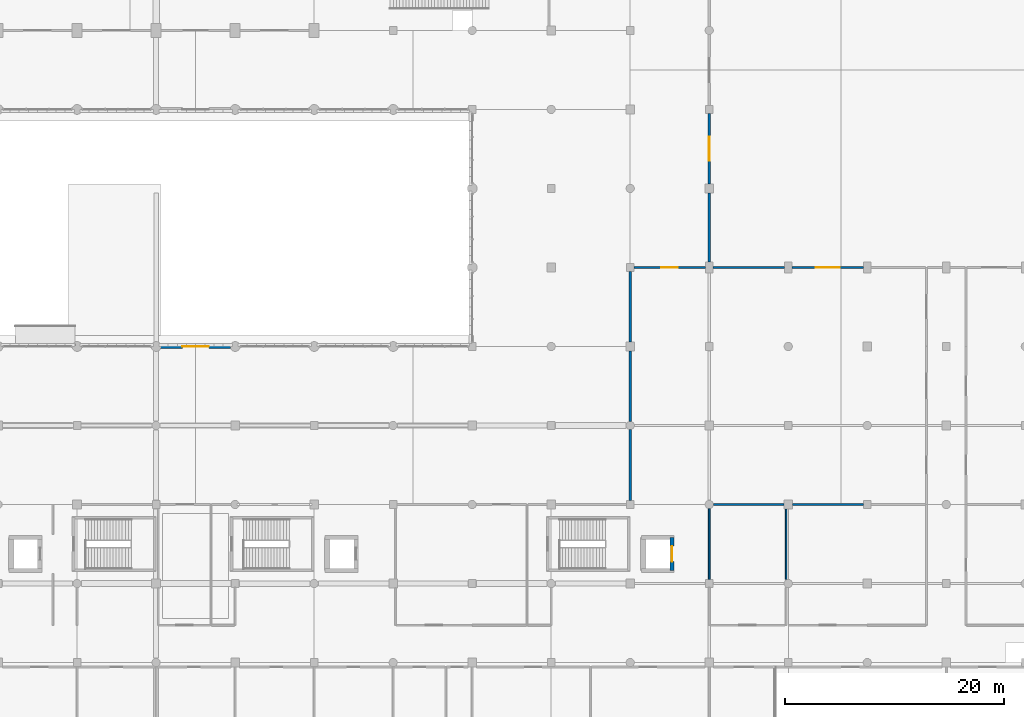
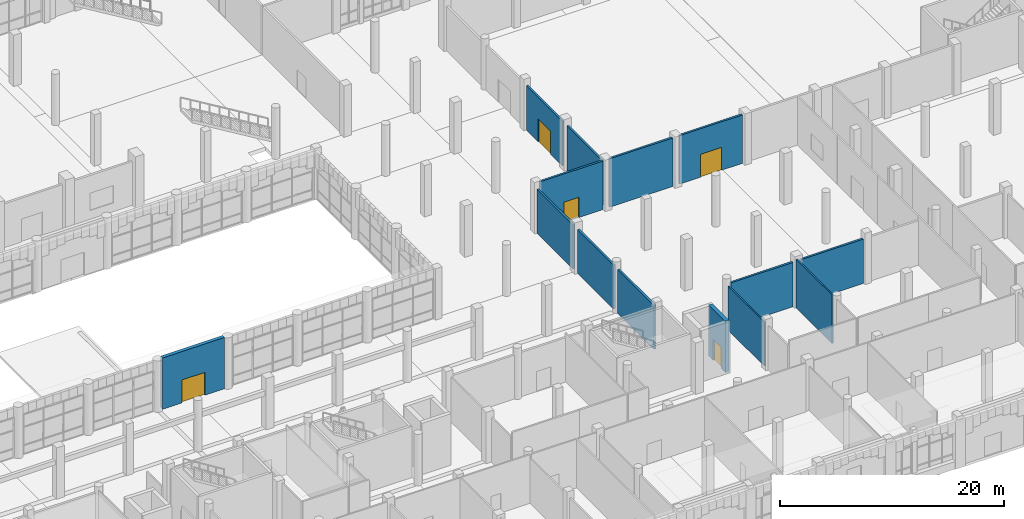
# One storey, part 59 of 85: 14 walls, 5 doors, 5 openings.
"""IFC4 building model written with IfcOpenShell, lengths in metres."""

import ifcopenshell
import ifcopenshell.guid

model = None  # the IFC model being written
_history = None  # IfcOwnerHistory: only IFC2X3 demands one
_inside = {}  # id of a spatial element -> (the spatial element, [elements in it])
_under = {}  # id of a project, library or spatial element -> (it, [spatial elements below it])
_declared = {}  # id of a project -> (the project, [libraries it declares])
_typed = {}  # id of a type object -> (the type object, [elements of that type])
_made_of = {}  # id of a material, layer set ... -> (it, [elements and type objects made of it])


def new_model(schema):
    """Start an empty IFC model of exactly this schema.

    Asked for "IFC4X3", IfcOpenShell would pick the latest addendum, in which some entities
    have other attributes; the version numbers below select the first issue.
    IFC2X3 requires an IfcOwnerHistory on every rooted entity: one is made here for all.
    """
    global model, _history
    if schema == "IFC4X3":
        model = ifcopenshell.file(schema_version=(4, 3, 0, 0))
    else:
        model = ifcopenshell.file(schema=schema)
    _inside.clear()
    _under.clear()
    _declared.clear()
    _typed.clear()
    _made_of.clear()
    _history = None
    if model.schema == "IFC2X3":
        org = make("IfcOrganization", Name="unknown")
        user = make(
            "IfcPersonAndOrganization",
            ThePerson=make("IfcPerson", FamilyName="unknown"),
            TheOrganization=org,
        )
        app = make(
            "IfcApplication",
            ApplicationDeveloper=org,
            Version="unknown",
            ApplicationFullName="unknown",
            ApplicationIdentifier="unknown",
        )
        _history = make(
            "IfcOwnerHistory",
            OwningUser=user,
            OwningApplication=app,
            ChangeAction="ADDED",
            CreationDate=0,
        )
    return model


def make(cls, **values):
    """One entity of the class cls with the attributes given. An attribute that is None is left unset."""
    return model.create_entity(
        cls, **{name: value for name, value in values.items() if value is not None}
    )


def rooted(cls, **values):
    """An entity with a GlobalId (a new one), such as an element, a storey or a relation."""
    return make(cls, GlobalId=ifcopenshell.guid.new(), OwnerHistory=_history, **values)


def si_unit(unit_type, name, prefix=None):
    """IfcSIUnit, for example si_unit("LENGTHUNIT", "METRE", prefix="MILLI")."""
    return make("IfcSIUnit", UnitType=unit_type, Prefix=prefix, Name=name)


def assignment(units):
    """IfcUnitAssignment: the units of a project."""
    return None if units is None else make("IfcUnitAssignment", Units=units)


def point(xyz):
    """IfcCartesianPoint."""
    return None if xyz is None else make("IfcCartesianPoint", Coordinates=xyz)


def direction(xyz):
    """IfcDirection."""
    return None if xyz is None else make("IfcDirection", DirectionRatios=xyz)


def frame(location, z_axis=None, x_axis=None):
    """IfcAxis2Placement3D, a coordinate frame: its origin and axes. An axis left out is left unset."""
    return make(
        "IfcAxis2Placement3D",
        Location=point(location),
        Axis=direction(z_axis),
        RefDirection=direction(x_axis),
    )


def frame_2d(location, x_axis=None):
    """IfcAxis2Placement2D, a coordinate frame in the plane: its origin and x axis."""
    return make(
        "IfcAxis2Placement2D", Location=point(location), RefDirection=direction(x_axis)
    )


def origin():
    """The frame at (0, 0, 0) with its axes left unset."""
    return frame((0.0, 0.0, 0.0))


def place(relative_to, where):
    """IfcLocalPlacement: puts the frame where relative to a parent placement (None: the world)."""
    return make(
        "IfcLocalPlacement", PlacementRelTo=relative_to, RelativePlacement=where
    )


def context(
    kind, dimensions, precision=None, world=None, true_north=None, identifier=None
):
    """IfcGeometricRepresentationContext, for example the 3D "Model" context."""
    return make(
        "IfcGeometricRepresentationContext",
        ContextIdentifier=identifier,
        ContextType=kind,
        CoordinateSpaceDimension=dimensions,
        Precision=precision,
        WorldCoordinateSystem=world,
        TrueNorth=true_north,
    )


def subcontext(parent, identifier, kind, view, scale=None):
    """IfcGeometricRepresentationSubContext, for example "Body" below "Model"."""
    return make(
        "IfcGeometricRepresentationSubContext",
        ContextIdentifier=identifier,
        ContextType=kind,
        ParentContext=parent,
        TargetScale=scale,
        TargetView=view,
    )


def project(units=None, contexts=None):
    """IfcProject with its units and contexts."""
    return rooted(
        "IfcProject",
        Name="project",
        RepresentationContexts=contexts,
        UnitsInContext=assignment(units),
    )


def spatial(cls, under=None, at=None, **own):
    """A site, building, storey or space (cls), placed at a placement, below another one or the project."""
    s = rooted(cls, ObjectPlacement=at, **own)
    if under is not None:
        _under.setdefault(under.id(), (under, []))[1].append(s)
    return s


def profile(cls, at=None, kind="AREA", **sizes):
    """A parametric profile (cls). Its sizes go by their IFC names, for example OverallWidth=200.0."""
    return make(cls, ProfileType=kind, Position=at, **sizes)


def rectangle(**sizes):
    """IfcRectangleProfileDef."""
    return profile("IfcRectangleProfileDef", **sizes)


def extrude(swept, where, along, depth):
    """IfcExtrudedAreaSolid: the profile swept, set in the frame where, extruded along a direction by depth."""
    return make(
        "IfcExtrudedAreaSolid",
        SweptArea=swept,
        Position=where,
        ExtrudedDirection=direction(along),
        Depth=depth,
    )


def shape(context_of_items, identifier, shape_type, items):
    """IfcShapeRepresentation: the items that make up one representation, for example the "Body"."""
    return make(
        "IfcShapeRepresentation",
        ContextOfItems=context_of_items,
        RepresentationIdentifier=identifier,
        RepresentationType=shape_type,
        Items=items,
    )


def material(Name=None, Category=None):
    """IfcMaterial."""
    return make("IfcMaterial", Name=Name, Category=Category)


def layer(
    of_material, thickness, ventilated=None, Name=None, Category=None, Priority=None
):
    """IfcMaterialLayer: one layer of a wall or slab, of a material (None: an air gap)."""
    return make(
        "IfcMaterialLayer",
        Material=of_material,
        LayerThickness=thickness,
        IsVentilated=ventilated,
        Name=Name,
        Category=Category,
        Priority=Priority,
    )


def layer_set(layers, Name=None):
    """IfcMaterialLayerSet."""
    return make("IfcMaterialLayerSet", MaterialLayers=layers, LayerSetName=Name)


def made_of(thing, what):
    """Note that an element or type object is made of a material, layer set ...; save() writes the relation."""
    if what is not None:
        _made_of.setdefault(what.id(), (what, []))[1].append(thing)
    return thing


def type_object(cls, material=None, **own):
    """A type object (cls), such as IfcWallType, which elements share."""
    return made_of(rooted(cls, **own), material)


def element(
    cls,
    number,
    at=None,
    inside=None,
    cuts=None,
    type_object=None,
    material=None,
    context=None,
    identifier="Body",
    shape_type=None,
    held_by="IfcProductDefinitionShape",
    body=None,
    shapes=None,
    **own,
):
    """One element of the class cls, such as IfcWall. Its Tag is "e" and its number.

    at: its placement. inside: the storey or other place that contains it. cuts: it is an
    opening in that element (IfcRelVoidsElement). A single representation is given by context,
    identifier, shape_type and body (its items); several are given by shapes. held_by: the class
    of the entity that holds the representations. save() writes the other relations.
    """
    e = rooted(cls, Tag="e%d" % number, ObjectPlacement=at, **own)
    if body is not None:
        shapes = [shape(context, identifier, shape_type, body)]
    if shapes is not None:
        e.Representation = make(held_by, Representations=shapes)
    if inside is not None:
        _inside.setdefault(inside.id(), (inside, []))[1].append(e)
    if cuts is not None:
        rooted(
            "IfcRelVoidsElement", RelatingBuildingElement=cuts, RelatedOpeningElement=e
        )
    if type_object is not None:
        _typed.setdefault(type_object.id(), (type_object, []))[1].append(e)
    return made_of(e, material)


def fill(opening, filler):
    """IfcRelFillsElement: the door or window that sits in an opening."""
    return rooted(
        "IfcRelFillsElement",
        RelatingOpeningElement=opening,
        RelatedBuildingElement=filler,
    )


def aggregate(whole, parts):
    """IfcRelAggregates: a whole, such as a stair, and the parts it consists of."""
    return rooted("IfcRelAggregates", RelatingObject=whole, RelatedObjects=parts)


def save(model, path):
    """Write the relations noted so far, then the file.

    IfcRelAggregates (storeys below a building ...), IfcRelContainedInSpatialStructure (elements
    in a storey), IfcRelDefinesByType, IfcRelAssociatesMaterial and IfcRelDeclares: one each for
    every whole, place, type object, material and project.
    """
    for whole, parts in _under.values():
        aggregate(whole, parts)
    for where, things in _inside.values():
        rooted(
            "IfcRelContainedInSpatialStructure",
            RelatedElements=things,
            RelatingStructure=where,
        )
    for kind, things in _typed.values():
        rooted("IfcRelDefinesByType", RelatedObjects=things, RelatingType=kind)
    for what, things in _made_of.values():
        rooted("IfcRelAssociatesMaterial", RelatedObjects=things, RelatingMaterial=what)
    for by, libraries in _declared.values():
        rooted("IfcRelDeclares", RelatingContext=by, RelatedDefinitions=libraries)
    model.write(path)


model = new_model("IFC4")

# Units and contexts
model_context = context("Model", 3, precision=1e-05, world=origin(), true_north=direction((0.0, 1.0)))
body_context = subcontext(model_context, "Body", "Model", "MODEL_VIEW")
ifc_project = project(units=[si_unit("LENGTHUNIT", "METRE"), si_unit("AREAUNIT", "SQUARE_METRE"), si_unit("VOLUMEUNIT", "CUBIC_METRE"), si_unit("PLANEANGLEUNIT", "RADIAN"), si_unit("MASSUNIT", "GRAM", prefix="KILO")], contexts=[model_context])

# Site, building, storey
site_placement = place(None, origin())
site = spatial("IfcSite", under=ifc_project, at=site_placement, CompositionType="ELEMENT")
building_placement = place(site_placement, origin())
building = spatial("IfcBuilding", under=site, at=building_placement, Name="Sardonyx Promenade Sports Hall", CompositionType="ELEMENT")
storey_placement = place(building_placement, origin())
storey = spatial("IfcBuildingStorey", under=building, at=storey_placement, Name="L00", CompositionType="ELEMENT", Elevation=0.0)

# Wall, opening, door
ifc_material_1 = material(Name="Concrete C40/50", Category="concrete")
ifc_layer_1 = layer(ifc_material_1, 0.3798828125)
ifc_layer_set_1 = layer_set([ifc_layer_1], Name="Wall_Core_Shear_380")
wall_type_1 = type_object("IfcWallType", Name="Wall_Core_Shear_380", PredefinedType="SHEAR", material=ifc_layer_set_1)
wall_1_placement = place(storey_placement, frame((111.800048828125, 22.800048828125, 0.0), z_axis=(0.0, 0.0, 1.0), x_axis=(0.0, 1.0, 0.0)))
wall_1 = element("IfcWall", 1, at=wall_1_placement, inside=storey, type_object=wall_type_1, Name="Lift shaft wall LF4 L00 E", PredefinedType="SHEAR", context=body_context, shape_type="SweptSolid", body=[
    extrude(rectangle(XDim=3.0, YDim=0.3798828125, at=frame_2d((1.5, 0.0))), origin(), (0.0, 0.0, 1.0), 5.60009765625),
])
opening_1_placement = place(wall_1_placement, frame((0.800048828125, 0.0, 0.0)))
opening_1 = element("IfcOpeningElement", 2, at=opening_1_placement, cuts=wall_1, Name="Opening LD02", PredefinedType="OPENING", context=body_context, shape_type="SweptSolid", body=[
    extrude(rectangle(XDim=1.39990234375, YDim=2.300048828125, at=frame_2d((0.699951171875, 1.14990234375))), frame((0.0, 0.2, 0.0), z_axis=(0.0, -1.0, 0.0), x_axis=(1.0, 0.0, 0.0)), (0.0, 0.0, 1.0), 0.4),
])
ifc_material_2 = material(Name="Fire-rated heavy-duty sliding lift door", Category="steel")
door_type_1 = type_object("IfcDoorType", Name="Door_Lift_Goods_140x230", OperationType="NOTDEFINED", PredefinedType="DOOR", material=ifc_material_2)
door_1_placement = place(opening_1_placement, origin())
door_1 = element("IfcDoor", 3, at=door_1_placement, inside=storey, type_object=door_type_1, Name="Lift landing sliding door LD-LF4-L00", OperationType="SLIDING_TO_LEFT", OverallHeight=2.300048828125, OverallWidth=1.39990234375, PredefinedType="DOOR", context=body_context, shape_type="SweptSolid", body=[
    extrude(rectangle(XDim=1.39990234375, YDim=2.300048828125, at=frame_2d((0.699951171875, 1.14990234375))), frame((0.0, 0.02490234375, 0.0), z_axis=(0.0, -1.0, 0.0), x_axis=(1.0, 0.0, 0.0)), (0.0, 0.0, 1.0), 0.050048828125),
])
fill(opening_1, door_1)

ifc_material_3 = material(Name="Concrete C40/50", Category="concrete")
ifc_layer_2 = layer(ifc_material_3, 0.360107421875)
ifc_layer_set_2 = layer_set([ifc_layer_2], Name="Wall_Ext_Sandstone_360")
wall_type_2 = type_object("IfcWallType", Name="Wall_Ext_Sandstone_360", PredefinedType="SOLIDWALL", material=ifc_layer_set_2)
wall_2_placement = place(storey_placement, frame((65.204833984375, 43.199951171875, 0.0), z_axis=(0.0, 0.0, 1.0), x_axis=(1.0, 0.0, 0.0)))
wall_2 = element("IfcWall", 4, at=wall_2_placement, inside=storey, type_object=wall_type_2, Name="Exterior wall EW06 L00 #204", PredefinedType="SOLIDWALL", context=body_context, shape_type="SweptSolid", body=[
    extrude(rectangle(XDim=6.390380859375, YDim=0.360107421875, at=frame_2d((3.1953125, 0.0))), origin(), (0.0, 0.0, 1.0), 5.60009765625),
])
opening_2_placement = place(wall_2_placement, frame((1.9951171875, 0.0, 0.0)))
opening_2 = element("IfcOpeningElement", 5, at=opening_2_placement, cuts=wall_2, Name="Opening ED06", PredefinedType="OPENING", context=body_context, shape_type="SweptSolid", body=[
    extrude(rectangle(XDim=2.39990234375, YDim=2.5, at=frame_2d((1.199951171875, 1.25))), frame((0.0, 0.19, 0.0), z_axis=(0.0, -1.0, 0.0), x_axis=(1.0, 0.0, 0.0)), (0.0, 0.0, 1.0), 0.38),
])
ifc_material_4 = material(Name="Thermally broken anodised aluminium glazed door", Category="aluminium")
door_type_2 = type_object("IfcDoorType", Name="Door_Ext_Promenade_240x250", OperationType="NOTDEFINED", PredefinedType="DOOR", material=ifc_material_4)
door_2_placement = place(opening_2_placement, origin())
door_2 = element("IfcDoor", 6, at=door_2_placement, inside=storey, type_object=door_type_2, Name="Exterior exit door CD01", OperationType="DOUBLE_DOOR_SINGLE_SWING", OverallHeight=2.5, OverallWidth=2.39990234375, PredefinedType="DOOR", context=body_context, shape_type="SweptSolid", body=[
    extrude(rectangle(XDim=2.39990234375, YDim=2.5, at=frame_2d((1.199951171875, 1.25))), frame((0.0, 0.02490234375, 0.0), z_axis=(0.0, -1.0, 0.0), x_axis=(1.0, 0.0, 0.0)), (0.0, 0.0, 1.0), 0.050048828125),
])
fill(opening_2, door_2)

# Wall
ifc_material_5 = material(Name="Masonry CMU 15 MPa", Category="masonry")
ifc_layer_3 = layer(ifc_material_5, 0.18994140625)
ifc_layer_set_3 = layer_set([ifc_layer_3], Name="Wall_Part_Block_190")
wall_type_3 = type_object("IfcWallType", Name="Wall_Part_Block_190", PredefinedType="PARTITIONING", material=ifc_layer_set_3)
wall_3_placement = place(storey_placement, frame((115.199951171875, 50.89990234375, 0.0), z_axis=(0.0, 0.0, 1.0), x_axis=(0.0, 1.0, 0.0)))
element("IfcWall", 7, at=wall_3_placement, inside=storey, type_object=wall_type_3, Name="Interior partition PW03 L00 #440", PredefinedType="PARTITIONING", context=body_context, shape_type="SweptSolid", body=[
    extrude(rectangle(XDim=6.300048828125, YDim=0.18994140625, at=frame_2d((3.14990234375, 0.0))), origin(), (0.0, 0.0, 1.0), 4.860107421875),
])

# Wall, opening, door
wall_4_placement = place(storey_placement, frame((115.199951171875, 58.0, 0.0), z_axis=(0.0, 0.0, 1.0), x_axis=(0.0, 1.0, 0.0)))
wall_4 = element("IfcWall", 8, at=wall_4_placement, inside=storey, type_object=wall_type_3, Name="Interior partition PW03 L00 #441", PredefinedType="PARTITIONING", context=body_context, shape_type="SweptSolid", body=[
    extrude(rectangle(XDim=6.449951171875, YDim=0.18994140625, at=frame_2d((3.22509765625, 0.0))), origin(), (0.0, 0.0, 1.0), 4.860107421875),
])
opening_3_placement = place(wall_4_placement, frame((2.125, 0.0, 0.0)))
opening_3 = element("IfcOpeningElement", 9, at=opening_3_placement, cuts=wall_4, Name="Opening ID04", PredefinedType="OPENING", context=body_context, shape_type="SweptSolid", body=[
    extrude(rectangle(XDim=2.199951171875, YDim=2.5, at=frame_2d((1.10009765625, 1.25))), frame((0.0, 0.105, 0.0), z_axis=(0.0, -1.0, 0.0), x_axis=(1.0, 0.0, 0.0)), (0.0, 0.0, 1.0), 0.21),
])
ifc_material_6 = material(Name="Double acoustic sports hall fire door FD60S", Category="wood")
door_type_3 = type_object("IfcDoorType", Name="Door_Hall_FD60_220x250", OperationType="NOTDEFINED", PredefinedType="DOOR", material=ifc_material_6)
door_3_placement = place(opening_3_placement, origin())
door_3 = element("IfcDoor", 10, at=door_3_placement, inside=storey, type_object=door_type_3, Name="Interior door D00-139", OperationType="DOUBLE_DOOR_SINGLE_SWING", OverallHeight=2.5, OverallWidth=2.199951171875, PredefinedType="DOOR", context=body_context, shape_type="SweptSolid", body=[
    extrude(rectangle(XDim=2.199951171875, YDim=2.5, at=frame_2d((1.10009765625, 1.25))), frame((0.0, 0.02490234375, 0.0), z_axis=(0.0, -1.0, 0.0), x_axis=(1.0, 0.0, 0.0)), (0.0, 0.0, 1.0), 0.050048828125),
])
fill(opening_3, door_3)

# Walls
ifc_material_7 = material(Name="Masonry CMU 15 MPa", Category="masonry")
ifc_layer_4 = layer(ifc_material_7, 0.2099609375)
ifc_layer_set_4 = layer_set([ifc_layer_4], Name="Wall_Part_Block_210")
wall_type_4 = type_object("IfcWallType", Name="Wall_Part_Block_210", PredefinedType="PARTITIONING", material=ifc_layer_set_4)
wall_5_placement = place(storey_placement, frame((115.574951171875, 28.800048828125, 0.0), z_axis=(0.0, 0.0, 1.0), x_axis=(1.0, 0.0, 0.0)))
element("IfcWall", 11, at=wall_5_placement, inside=storey, type_object=wall_type_4, Name="Interior partition PW07 L00 #121", PredefinedType="PARTITIONING", context=body_context, shape_type="SweptSolid", body=[
    extrude(rectangle(XDim=6.425048828125, YDim=0.2099609375, at=frame_2d((3.21240234375, 0.0))), origin(), (0.0, 0.0, 1.0), 4.836669921875),
])
wall_6_placement = place(storey_placement, frame((122.800048828125, 28.800048828125, 0.0), z_axis=(0.0, 0.0, 1.0), x_axis=(1.0, 0.0, 0.0)))
element("IfcWall", 12, at=wall_6_placement, inside=storey, type_object=wall_type_4, Name="Interior partition PW07 L00 #122", PredefinedType="PARTITIONING", context=body_context, shape_type="SweptSolid", body=[
    extrude(rectangle(XDim=6.449951171875, YDim=0.2099609375, at=frame_2d((3.22509765625, 0.0))), origin(), (0.0, 0.0, 1.0), 4.836669921875),
])
wall_7_placement = place(storey_placement, frame((108.0, 29.14990234375, 0.0), z_axis=(0.0, 0.0, 1.0), x_axis=(0.0, 1.0, 0.0)))
element("IfcWall", 13, at=wall_7_placement, inside=storey, type_object=wall_type_4, Name="Interior partition PW07 L00 #343", PredefinedType="PARTITIONING", context=body_context, shape_type="SweptSolid", body=[
    extrude(rectangle(XDim=6.47509765625, YDim=0.2099609375, at=frame_2d((3.237548828125, 0.0))), origin(), (0.0, 0.0, 1.0), 4.7900390625),
])
wall_8_placement = place(storey_placement, frame((108.0, 36.375, 0.0), z_axis=(0.0, 0.0, 1.0), x_axis=(0.0, 1.0, 0.0)))
element("IfcWall", 14, at=wall_8_placement, inside=storey, type_object=wall_type_4, Name="Interior partition PW07 L00 #344", PredefinedType="PARTITIONING", context=body_context, shape_type="SweptSolid", body=[
    extrude(rectangle(XDim=6.425048828125, YDim=0.2099609375, at=frame_2d((3.21240234375, 0.0))), origin(), (0.0, 0.0, 1.0), 4.7900390625),
])
wall_9_placement = place(storey_placement, frame((108.0, 43.60009765625, 0.0), z_axis=(0.0, 0.0, 1.0), x_axis=(0.0, 1.0, 0.0)))
element("IfcWall", 15, at=wall_9_placement, inside=storey, type_object=wall_type_4, Name="Interior partition PW07 L00 #345", PredefinedType="PARTITIONING", context=body_context, shape_type="SweptSolid", body=[
    extrude(rectangle(XDim=6.449951171875, YDim=0.2099609375, at=frame_2d((3.22509765625, 0.0))), origin(), (0.0, 0.0, 1.0), 4.7900390625),
])

# Wall, opening, door
wall_10_placement = place(storey_placement, frame((108.35009765625, 50.39990234375, 0.0), z_axis=(0.0, 0.0, 1.0), x_axis=(1.0, 0.0, 0.0)))
wall_10 = element("IfcWall", 16, at=wall_10_placement, inside=storey, type_object=wall_type_4, Name="Interior partition PW07 L00 #436", PredefinedType="PARTITIONING", context=body_context, shape_type="SweptSolid", body=[
    extrude(rectangle(XDim=6.5, YDim=0.2099609375, at=frame_2d((3.25, 0.0))), origin(), (0.0, 0.0, 1.0), 5.2900390625),
])
opening_4_placement = place(wall_10_placement, frame((2.5, 0.0, 0.0)))
opening_4 = element("IfcOpeningElement", 17, at=opening_4_placement, cuts=wall_10, Name="Opening ID10", PredefinedType="OPENING", context=body_context, shape_type="SweptSolid", body=[
    extrude(rectangle(XDim=1.5, YDim=2.199951171875, at=frame_2d((0.75, 1.10009765625))), frame((0.0, 0.115, 0.0), z_axis=(0.0, -1.0, 0.0), x_axis=(1.0, 0.0, 0.0)), (0.0, 0.0, 1.0), 0.23),
])
ifc_material_8 = material(Name="Double studio entrance fire door FD30S", Category="wood")
door_type_4 = type_object("IfcDoorType", Name="Door_Corr_FD30_150x220", OperationType="NOTDEFINED", PredefinedType="DOOR", material=ifc_material_8)
door_4_placement = place(opening_4_placement, origin())
door_4 = element("IfcDoor", 18, at=door_4_placement, inside=storey, type_object=door_type_4, Name="Interior door D00-136", OperationType="DOUBLE_DOOR_SINGLE_SWING", OverallHeight=2.199951171875, OverallWidth=1.5, PredefinedType="DOOR", context=body_context, shape_type="SweptSolid", body=[
    extrude(rectangle(XDim=1.5, YDim=2.199951171875, at=frame_2d((0.75, 1.10009765625))), frame((0.0, 0.02490234375, 0.0), z_axis=(0.0, -1.0, 0.0), x_axis=(1.0, 0.0, 0.0)), (0.0, 0.0, 1.0), 0.050048828125),
])
fill(opening_4, door_4)

# Wall
wall_11_placement = place(storey_placement, frame((115.550048828125, 50.39990234375, 0.0), z_axis=(0.0, 0.0, 1.0), x_axis=(1.0, 0.0, 0.0)))
element("IfcWall", 19, at=wall_11_placement, inside=storey, type_object=wall_type_4, Name="Interior partition PW07 L00 #447", PredefinedType="PARTITIONING", context=body_context, shape_type="SweptSolid", body=[
    extrude(rectangle(XDim=6.5, YDim=0.2099609375, at=frame_2d((3.25, 0.0))), origin(), (0.0, 0.0, 1.0), 5.2900390625),
])

# Wall, opening, door
wall_12_placement = place(storey_placement, frame((122.75, 50.39990234375, 0.0), z_axis=(0.0, 0.0, 1.0), x_axis=(1.0, 0.0, 0.0)))
wall_12 = element("IfcWall", 20, at=wall_12_placement, inside=storey, type_object=wall_type_4, Name="Interior partition PW07 L00 #449", PredefinedType="PARTITIONING", context=body_context, shape_type="SweptSolid", body=[
    extrude(rectangle(XDim=6.5, YDim=0.2099609375, at=frame_2d((3.25, 0.0))), origin(), (0.0, 0.0, 1.0), 5.2900390625),
])
opening_5_placement = place(wall_12_placement, frame((2.14990234375, 0.0, 0.0)))
opening_5 = element("IfcOpeningElement", 21, at=opening_5_placement, cuts=wall_12, Name="Opening ID04", PredefinedType="OPENING", context=body_context, shape_type="SweptSolid", body=[
    extrude(rectangle(XDim=2.199951171875, YDim=2.5, at=frame_2d((1.10009765625, 1.25))), frame((0.0, 0.115, 0.0), z_axis=(0.0, -1.0, 0.0), x_axis=(1.0, 0.0, 0.0)), (0.0, 0.0, 1.0), 0.23),
])
door_5_placement = place(opening_5_placement, origin())
door_5 = element("IfcDoor", 22, at=door_5_placement, inside=storey, type_object=door_type_3, Name="Interior door D00-142", OperationType="DOUBLE_DOOR_SINGLE_SWING", OverallHeight=2.5, OverallWidth=2.199951171875, PredefinedType="DOOR", context=body_context, shape_type="SweptSolid", body=[
    extrude(rectangle(XDim=2.199951171875, YDim=2.5, at=frame_2d((1.10009765625, 1.25))), frame((0.0, 0.02490234375, 0.0), z_axis=(0.0, -1.0, 0.0), x_axis=(1.0, 0.0, 0.0)), (0.0, 0.0, 1.0), 0.050048828125),
])
fill(opening_5, door_5)

# Walls
ifc_material_9 = material(Name="Acoustic sports stud partition", Category="gypsum")
ifc_layer_5 = layer(ifc_material_9, 0.1298828125)
ifc_layer_set_5 = layer_set([ifc_layer_5], Name="Wall_Part_Studio_130")
wall_type_5 = type_object("IfcWallType", Name="Wall_Part_Studio_130", PredefinedType="PARTITIONING", material=ifc_layer_set_5)
wall_13_placement = place(storey_placement, frame((122.199951171875, 21.97509765625, 0.0), z_axis=(0.0, 0.0, 1.0), x_axis=(0.0, 1.0, 0.0)))
element("IfcWall", 23, at=wall_13_placement, inside=storey, type_object=wall_type_5, Name="Interior partition PW05 L00 #105", PredefinedType="PARTITIONING", context=body_context, shape_type="SweptSolid", body=[
    extrude(rectangle(XDim=6.4248046875, YDim=0.1298828125, at=frame_2d((3.21240234375, 0.0))), origin(), (0.0, 0.0, 1.0), 5.300048828125),
])
ifc_material_10 = material(Name="Moisture-resistant masonry partition", Category="masonry")
ifc_layer_6 = layer(ifc_material_10, 0.139892578125)
ifc_layer_set_6 = layer_set([ifc_layer_6], Name="Wall_Part_Wet_140")
wall_type_6 = type_object("IfcWallType", Name="Wall_Part_Wet_140", PredefinedType="PARTITIONING", material=ifc_layer_set_6)
wall_14_placement = place(storey_placement, frame((115.199951171875, 21.949951171875, 0.0), z_axis=(0.0, 0.0, 1.0), x_axis=(0.0, 1.0, 0.0)))
element("IfcWall", 24, at=wall_14_placement, inside=storey, type_object=wall_type_6, Name="Interior partition PW08 L00 #103", PredefinedType="PARTITIONING", context=body_context, shape_type="SweptSolid", body=[
    extrude(rectangle(XDim=6.47509765625, YDim=0.139892578125, at=frame_2d((3.237548828125, 0.0))), origin(), (0.0, 0.0, 1.0), 4.800048828125),
])

save(model, "model.ifc")
